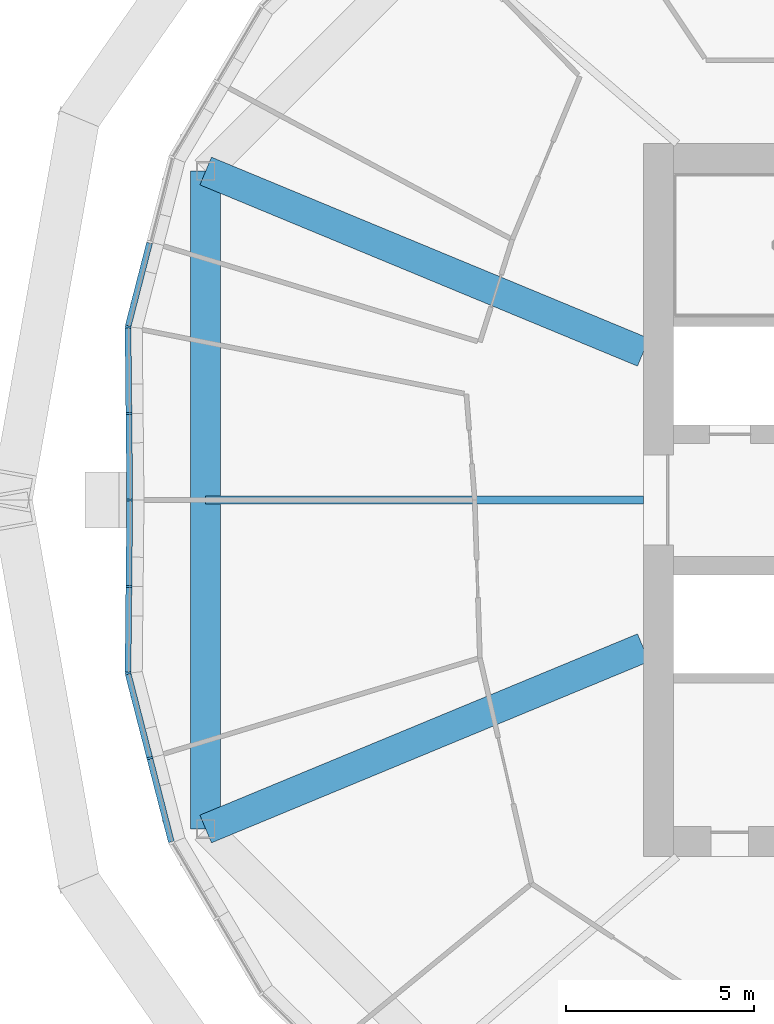
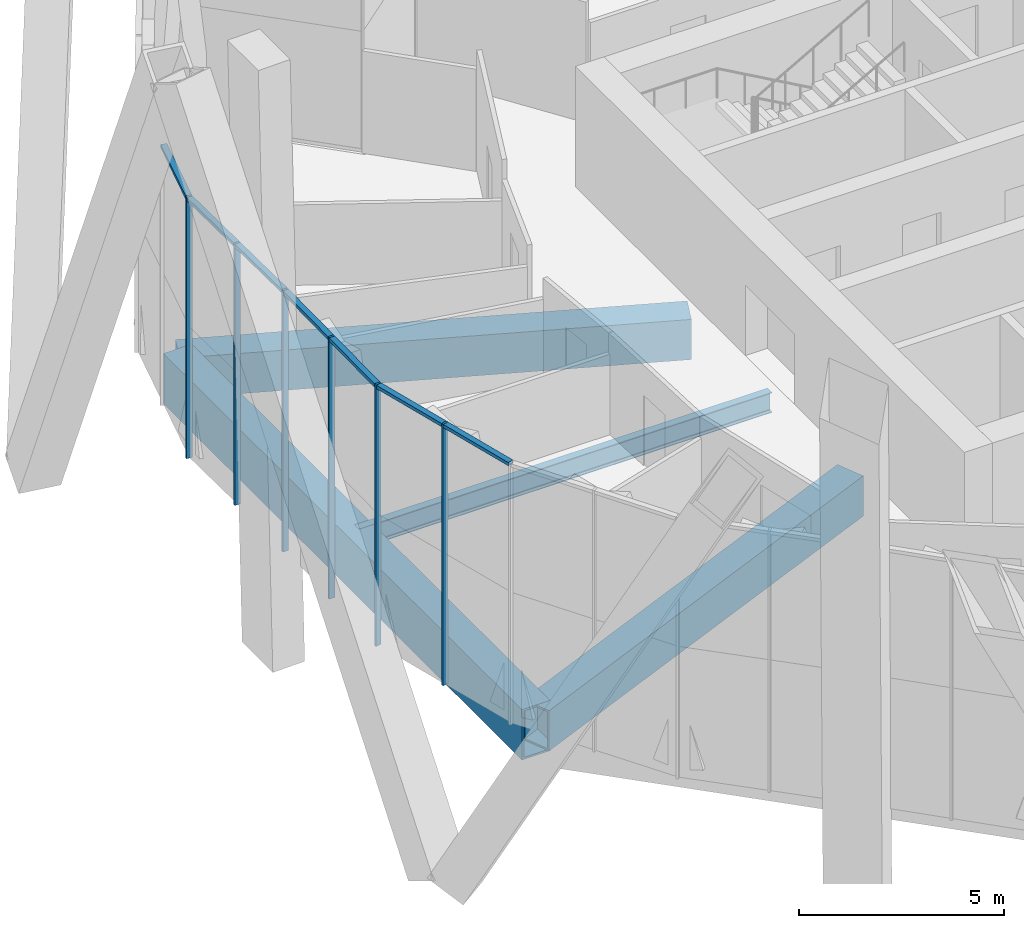
# One storey, part 5 of 31: 13 members, 4 beams, 2 elements without a shape of their own.
"""IFC4 building model written with IfcOpenShell, lengths in metres."""

from ifc_helpers import new_model, si_unit, direction, frame, origin, origin_2d, place, context, subcontext, project, spatial, rectangle, hollow_rectangle, i_section, extrude, material, material_profile, profile_set, type_object, element, aggregate, save


model = new_model("IFC4")

# Units and contexts
model_context = context("Model", 3, precision=1e-05, world=origin(), true_north=direction((0.0, 1.0)))
body_context = subcontext(model_context, "Body", "Model", "MODEL_VIEW")
ifc_project = project(units=[si_unit("LENGTHUNIT", "METRE"), si_unit("AREAUNIT", "SQUARE_METRE"), si_unit("VOLUMEUNIT", "CUBIC_METRE"), si_unit("PLANEANGLEUNIT", "RADIAN"), si_unit("MASSUNIT", "GRAM", prefix="KILO")], contexts=[model_context])

# Site, building, storey
site_placement = place(None, origin())
site = spatial("IfcSite", under=ifc_project, at=site_placement, CompositionType="ELEMENT")
building_placement = place(site_placement, origin())
building = spatial("IfcBuilding", under=site, at=building_placement, Name="Ogive Gate Towers", CompositionType="ELEMENT")
storey_placement = place(building_placement, frame((0.0, 0.0, 55.800048828125)))
storey = spatial("IfcBuildingStorey", under=building, at=storey_placement, Name="L12", CompositionType="ELEMENT", Elevation=55.800048828125)

# Beams
ifc_material_1 = material(Name="Steel SM460", Category="steel")
ifc_material_profile_1 = material_profile(ifc_material_1, hollow_rectangle(XDim=0.800048828125, YDim=1.5, WallThickness=0.06005859375, at=origin_2d()), Name="BX 1500x800x60")
ifc_profile_set_1 = profile_set([ifc_material_profile_1], Name="Steel SM460")
beam_type_1 = type_object("IfcBeamType", Name="Edge girder BX 1500x800x60", PredefinedType="BEAM", material=ifc_profile_set_1)
beam_1_placement = place(storey_placement, frame((-57.15673828125, 8.763427734375, -1.050048828125), z_axis=(0.0, -1.0, 0.0), x_axis=(1.0, 0.0, 0.0)))
element("IfcBeam", 1, at=beam_1_placement, inside=storey, type_object=beam_type_1, Name="T1/L12/SBM024", PredefinedType="BEAM", context=body_context, shape_type="SweptSolid", body=[
    extrude(hollow_rectangle(XDim=0.800048828125, YDim=1.5, WallThickness=0.06005859375, at=origin_2d()), origin(), (0.0, 0.0, 1.0), 17.52685546875),
])
ifc_material_2 = material(Name="Steel SM355", Category="steel")
ifc_material_profile_2 = material_profile(ifc_material_2, i_section(OverallWidth=0.219970703125, OverallDepth=0.60009765625, WebThickness=0.011962890625, FlangeThickness=0.01904296875, FilletRadius=0.02392578125, at=origin_2d()), Name="IPE 600")
ifc_profile_set_2 = profile_set([ifc_material_profile_2], Name="Steel SM355")
beam_type_2 = type_object("IfcBeamType", Name="Radial floor beam IPE 600", PredefinedType="BEAM", material=ifc_profile_set_2)
beam_2_placement = place(storey_placement, frame((-45.5, 0.0, -0.60009765625), z_axis=(-1.0, 0.0, 0.0), x_axis=(0.0, -1.0, 0.0)))
element("IfcBeam", 2, at=beam_2_placement, inside=storey, type_object=beam_type_2, Name="T1/L12/SBM016", PredefinedType="BEAM", context=body_context, shape_type="SweptSolid", body=[
    extrude(i_section(OverallWidth=0.219970703125, OverallDepth=0.60009765625, WebThickness=0.011962890625, FlangeThickness=0.01904296875, FilletRadius=0.02392578125, at=origin_2d()), origin(), (0.0, 0.0, 1.0), 11.65673828125),
])

# Curtain wall, members
ifc_material_3 = material(Name="Pale metal aluminium", Category="aluminium")
curtain_wall_type = type_object("IfcCurtainWallType", Name="Tower unitised wall, low zone", PredefinedType="NOTDEFINED", material=ifc_material_3)
curtain_wall_1_placement = place(storey_placement, origin())
curtain_wall_1 = element("IfcCurtainWall", 3, at=curtain_wall_1_placement, inside=storey, type_object=curtain_wall_type, Name="CW1 T1 ECW05", PredefinedType="NOTDEFINED")
ifc_material_profile_3 = material_profile(ifc_material_3, rectangle(XDim=0.159912109375, YDim=0.06005859375, at=origin_2d()), Name="60 x 160 aluminium box")
ifc_profile_set_3 = profile_set([ifc_material_profile_3], Name="Pale metal aluminium")
member_type_1 = type_object("IfcMemberType", Name="Tower unitised wall, low zone mullion 60 x 160", PredefinedType="MULLION", material=ifc_profile_set_3)
member_1_placement = place(storey_placement, frame((-59.179931640625, -0.000244140625, -0.300048828125), z_axis=(0.0, 0.0, 1.0), x_axis=(0.999947161375, 0.010279808233, 0.0)))
member_1 = element("IfcMember", 4, at=member_1_placement, type_object=member_type_1, Name="CW1 mullion", PredefinedType="MULLION", context=body_context, shape_type="SweptSolid", body=[
    extrude(rectangle(XDim=0.159912109375, YDim=0.06005859375, at=origin_2d()), origin(), (0.0, 0.0, 1.0), 7.800048828125),
])
member_2_placement = place(storey_placement, frame((-59.20361328125, 2.303955078125, -0.300048828125), z_axis=(0.0, 0.0, 1.0), x_axis=(0.999947161375, 0.010279808233, 0.0)))
member_2 = element("IfcMember", 5, at=member_2_placement, type_object=member_type_1, Name="CW1 mullion", PredefinedType="MULLION", context=body_context, shape_type="SweptSolid", body=[
    extrude(rectangle(XDim=0.159912109375, YDim=0.06005859375, at=origin_2d()), origin(), (0.0, 0.0, 1.0), 7.800048828125),
])
member_3_placement = place(storey_placement, frame((-59.227294921875, 4.61083984375, -0.300048828125), z_axis=(0.0, 0.0, 1.0), x_axis=(0.992727957326, -0.120379411626, 0.0)))
member_3 = element("IfcMember", 6, at=member_3_placement, type_object=member_type_1, Name="CW1 mullion", PredefinedType="MULLION", context=body_context, shape_type="SweptSolid", body=[
    extrude(rectangle(XDim=0.159912109375, YDim=0.06005859375, at=origin_2d()), origin(), (0.0, 0.0, 1.0), 7.800048828125),
])

curtain_wall_2_placement = place(storey_placement, origin())
curtain_wall_2 = element("IfcCurtainWall", 7, at=curtain_wall_2_placement, inside=storey, type_object=curtain_wall_type, Name="CW1 T1 ECW06", PredefinedType="NOTDEFINED")
member_4_placement = place(storey_placement, frame((-58.6455078125, -6.874755859375, -0.300048828125), z_axis=(0.0, 0.0, 1.0), x_axis=(0.96850933072, 0.248977260623, 0.0)))
member_4 = element("IfcMember", 8, at=member_4_placement, type_object=member_type_1, Name="CW1 mullion", PredefinedType="MULLION", context=body_context, shape_type="SweptSolid", body=[
    extrude(rectangle(XDim=0.159912109375, YDim=0.06005859375, at=origin_2d()), origin(), (0.0, 0.0, 1.0), 7.800048828125),
])
member_5_placement = place(storey_placement, frame((-59.227294921875, -4.61083984375, -0.300048828125), z_axis=(0.0, 0.0, 1.0), x_axis=(0.992727957326, 0.120379411626, 0.0)))
member_5 = element("IfcMember", 9, at=member_5_placement, type_object=member_type_1, Name="CW1 mullion", PredefinedType="MULLION", context=body_context, shape_type="SweptSolid", body=[
    extrude(rectangle(XDim=0.159912109375, YDim=0.06005859375, at=origin_2d()), origin(), (0.0, 0.0, 1.0), 7.800048828125),
])
member_6_placement = place(storey_placement, frame((-59.20361328125, -2.303955078125, -0.300048828125), z_axis=(0.0, 0.0, 1.0), x_axis=(0.999947161375, -0.010279808233, 0.0)))
member_6 = element("IfcMember", 10, at=member_6_placement, type_object=member_type_1, Name="CW1 mullion", PredefinedType="MULLION", context=body_context, shape_type="SweptSolid", body=[
    extrude(rectangle(XDim=0.159912109375, YDim=0.06005859375, at=origin_2d()), origin(), (0.0, 0.0, 1.0), 7.800048828125),
])

# Member
ifc_material_profile_4 = material_profile(ifc_material_3, rectangle(XDim=0.159912109375, YDim=0.10009765625, at=origin_2d()), Name="100 x 160 aluminium box")
ifc_profile_set_4 = profile_set([ifc_material_profile_4], Name="Pale metal aluminium")
member_type_2 = type_object("IfcMemberType", Name="Tower unitised wall, low zone transom 100 x 160", PredefinedType="USERDEFINED", material=ifc_profile_set_4)
member_7_placement = place(storey_placement, frame((-59.180419921875, 0.02978515625, 7.449951171875), z_axis=(-0.01022574905, 0.999947715661, 0.0), x_axis=(-0.999947715661, -0.01022574905, 0.0)))
member_7 = element("IfcMember", 11, at=member_7_placement, type_object=member_type_2, Name="CW1 transom", ObjectType="TRANSOM", PredefinedType="USERDEFINED", context=body_context, shape_type="SweptSolid", body=[
    extrude(rectangle(XDim=0.159912109375, YDim=0.10009765625, at=origin_2d()), origin(), (0.0, 0.0, 1.0), 2.244140625),
])

member_8_placement = place(storey_placement, frame((-59.2041015625, 2.333984375, 7.449951171875), z_axis=(-0.010224636826, 0.999947727035, 0.0), x_axis=(-0.999947727035, -0.010224636826, 0.0)))
member_8 = element("IfcMember", 12, at=member_8_placement, type_object=member_type_2, Name="CW1 transom", ObjectType="TRANSOM", PredefinedType="USERDEFINED", context=body_context, shape_type="SweptSolid", body=[
    extrude(rectangle(XDim=0.159912109375, YDim=0.10009765625, at=origin_2d()), origin(), (0.0, 0.0, 1.0), 2.244384765625),
])

member_9_placement = place(storey_placement, frame((-59.21923828125, 4.642578125, 7.449951171875), z_axis=(0.248995019433, 0.968504765243, 0.0), x_axis=(-0.968504765243, 0.248995019433, 0.0)))
member_9 = element("IfcMember", 13, at=member_9_placement, type_object=member_type_2, Name="CW1 transom", ObjectType="TRANSOM", PredefinedType="USERDEFINED", context=body_context, shape_type="SweptSolid", body=[
    extrude(rectangle(XDim=0.159912109375, YDim=0.10009765625, at=origin_2d()), origin(), (0.0, 0.0, 1.0), 2.274658203125),
])

aggregate(curtain_wall_1, [member_1, member_2, member_7, member_3, member_8, member_9])

member_10_placement = place(storey_placement, frame((-58.071533203125, -9.107177734375, 7.449951171875), z_axis=(-0.248969140197, 0.968511418224, 0.0), x_axis=(-0.968511418224, -0.248969140197, 0.0)))
member_10 = element("IfcMember", 14, at=member_10_placement, type_object=member_type_2, Name="CW1 transom", ObjectType="TRANSOM", PredefinedType="USERDEFINED", context=body_context, shape_type="SweptSolid", body=[
    extrude(rectangle(XDim=0.159912109375, YDim=0.10009765625, at=origin_2d()), origin(), (0.0, 0.0, 1.0), 2.27490234375),
])

member_11_placement = place(storey_placement, frame((-58.65283203125, -6.845703125, 7.449951171875), z_axis=(-0.248995019433, 0.968504765243, 0.0), x_axis=(-0.968504765243, -0.248995019433, 0.0)))
member_11 = element("IfcMember", 15, at=member_11_placement, type_object=member_type_2, Name="CW1 transom", ObjectType="TRANSOM", PredefinedType="USERDEFINED", context=body_context, shape_type="SweptSolid", body=[
    extrude(rectangle(XDim=0.159912109375, YDim=0.10009765625, at=origin_2d()), origin(), (0.0, 0.0, 1.0), 2.274658203125),
])

member_12_placement = place(storey_placement, frame((-59.22705078125, -4.578369140625, 7.449951171875), z_axis=(0.010224636826, 0.999947727035, 0.0), x_axis=(-0.999947727035, 0.010224636826, 0.0)))
member_12 = element("IfcMember", 16, at=member_12_placement, type_object=member_type_2, Name="CW1 transom", ObjectType="TRANSOM", PredefinedType="USERDEFINED", context=body_context, shape_type="SweptSolid", body=[
    extrude(rectangle(XDim=0.159912109375, YDim=0.10009765625, at=origin_2d()), origin(), (0.0, 0.0, 1.0), 2.244384765625),
])

member_13_placement = place(storey_placement, frame((-59.203369140625, -2.27392578125, 7.449951171875), z_axis=(0.01022574905, 0.999947715661, 0.0), x_axis=(-0.999947715661, 0.01022574905, 0.0)))
member_13 = element("IfcMember", 17, at=member_13_placement, type_object=member_type_2, Name="CW1 transom", ObjectType="TRANSOM", PredefinedType="USERDEFINED", context=body_context, shape_type="SweptSolid", body=[
    extrude(rectangle(XDim=0.159912109375, YDim=0.10009765625, at=origin_2d()), origin(), (0.0, 0.0, 1.0), 2.244140625),
])

aggregate(curtain_wall_2, [member_4, member_10, member_5, member_11, member_6, member_12, member_13])

# Beams
ifc_material_profile_5 = material_profile(ifc_material_1, hollow_rectangle(XDim=0.800048828125, YDim=1.199951171875, WallThickness=0.050048828125, at=origin_2d()), Name="BX 1200x800x50")
ifc_profile_set_5 = profile_set([ifc_material_profile_5], Name="Steel SM460")
beam_type_3 = type_object("IfcBeamType", Name="Transfer radial beam BX 1200x800x50", PredefinedType="BEAM", material=ifc_profile_set_5)
for number, where, z_axis, x_axis, name in (
    (18, (-45.5, -3.93505859375, -0.900146484375), (-0.923879811284, -0.382682759347, 0.0), (0.382682759347, -0.923879811284, 0.0), "T1/L12/SBM001"),
    (19, (-45.5, 3.93505859375, -0.900146484375), (-0.923879811284, 0.382682759347, 0.0), (-0.382682759347, -0.923879811284, 0.0), "T1/L12/SBM015"),
):
    element("IfcBeam", number, at=place(storey_placement, frame(where, z_axis=z_axis, x_axis=x_axis)), inside=storey, type_object=beam_type_3, Name=name, PredefinedType="BEAM", context=body_context, shape_type="SweptSolid", body=[
        extrude(hollow_rectangle(XDim=0.800048828125, YDim=1.199951171875, WallThickness=0.050048828125, at=origin_2d()), origin(), (0.0, 0.0, 1.0), 12.6171875),
    ])

save(model, "model.ifc")
